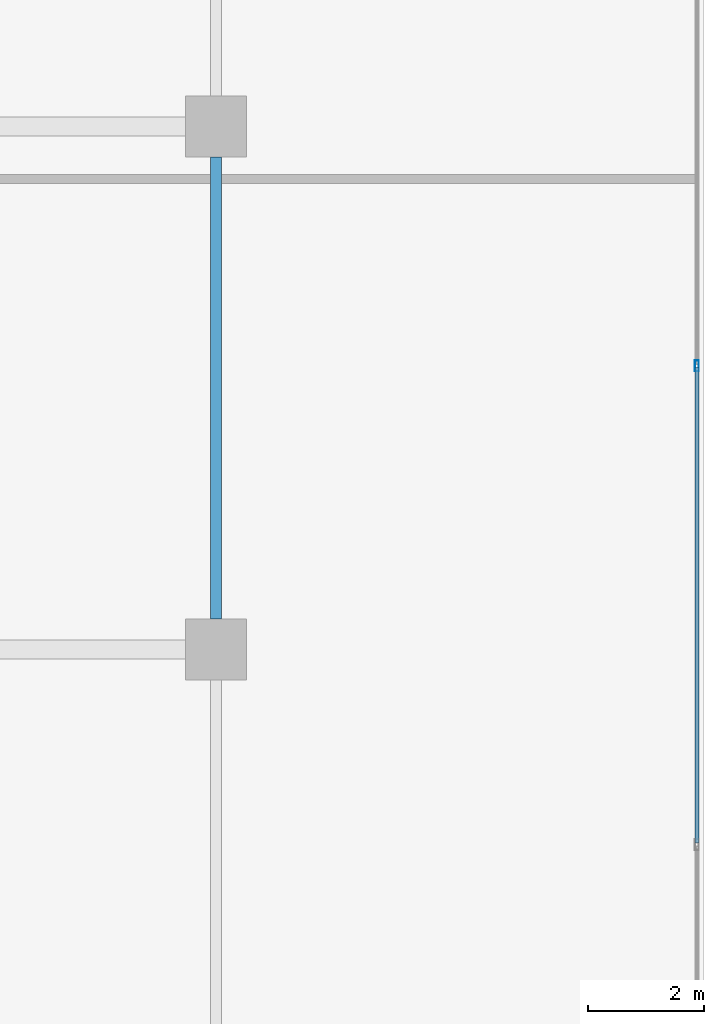
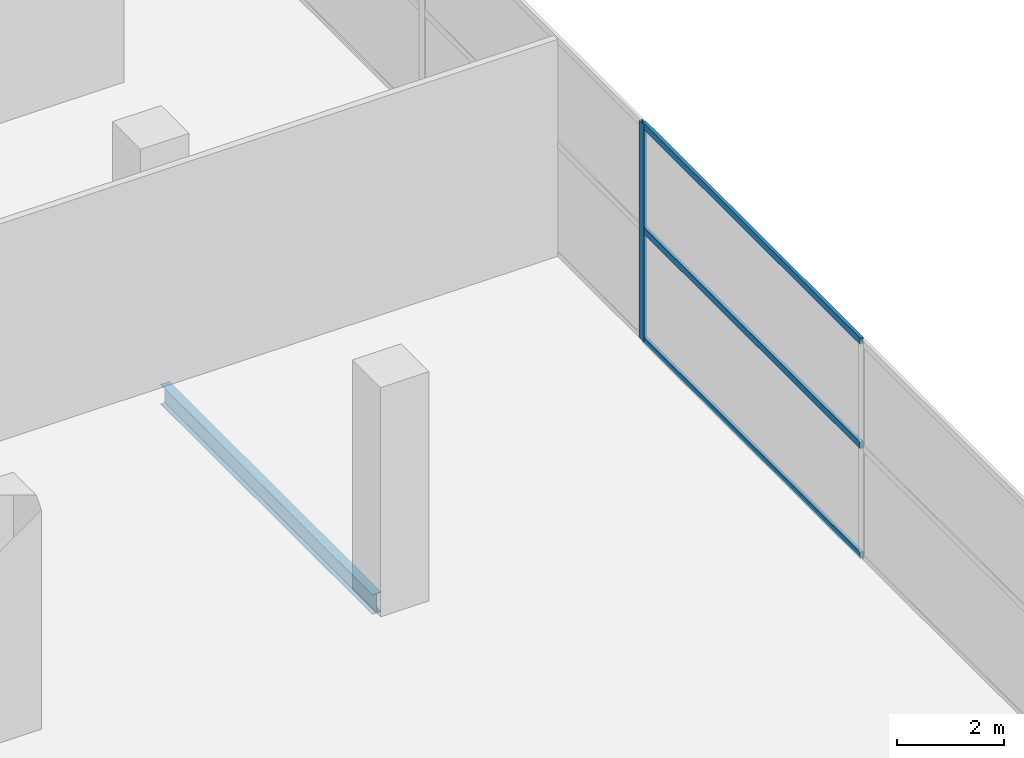
# One storey, part 26 of 40: 4 members, 1 beam, 1 element without a shape of its own.
"""IFC4 building model written with IfcOpenShell, lengths in metres."""

from ifc_helpers import new_model, si_unit, direction, frame, origin, origin_2d, place, context, subcontext, project, spatial, hollow_rectangle, i_section, extrude, material, layer, layer_set, material_profile, profile_set, type_object, element, aggregate, save


model = new_model("IFC4")

# Units and contexts
model_context = context("Model", 3, precision=1e-05, world=origin(), true_north=direction((0.0, 1.0)))
body_context = subcontext(model_context, "Body", "Model", "MODEL_VIEW")
ifc_project = project(units=[si_unit("LENGTHUNIT", "METRE"), si_unit("AREAUNIT", "SQUARE_METRE"), si_unit("VOLUMEUNIT", "CUBIC_METRE"), si_unit("PLANEANGLEUNIT", "RADIAN"), si_unit("MASSUNIT", "GRAM", prefix="KILO")], contexts=[model_context])

# Site, building, storey
site_placement = place(None, origin())
site = spatial("IfcSite", under=ifc_project, at=site_placement, CompositionType="ELEMENT")
building_placement = place(site_placement, origin())
building = spatial("IfcBuilding", under=site, at=building_placement, Name="Maruvema Waterfront Hotel and Observation Tower", CompositionType="ELEMENT")
storey_placement = place(building_placement, frame((0.0, 0.0, 5.60009765625)))
storey = spatial("IfcBuildingStorey", under=building, at=storey_placement, Name="L01", CompositionType="ELEMENT", Elevation=5.60009765625)

# Curtain wall, members
ifc_material_1 = material(Name="Anodised bronze aluminium and solar-control low-E IGU", Category="aluminium")
ifc_layer = layer(ifc_material_1, 0.159912109375, Name="Podium Waterfront Storefront Curtain Wall System CW-01")
ifc_layer_set = layer_set([ifc_layer], Name="Anodised bronze aluminium and solar-control low-E IGU")
curtain_wall_type = type_object("IfcCurtainWallType", Name="Podium Waterfront Storefront Curtain Wall System CW-01", PredefinedType="USERDEFINED", material=ifc_layer_set)
curtain_wall_placement = place(storey_placement, origin())
curtain_wall = element("IfcCurtainWall", 1, at=curtain_wall_placement, inside=storey, type_object=curtain_wall_type, Name="L01 Curtain Wall CW-L01-E", ObjectType="UNITISED CURTAIN WALL", PredefinedType="USERDEFINED")
ifc_material_2 = material(Name="Anodised architectural bronze aluminium", Category="aluminium")
ifc_material_profile_1 = material_profile(ifc_material_2, hollow_rectangle(XDim=0.070068359375, YDim=0.14990234375, WallThickness=0.00390625, at=origin_2d()), Name="ALU-T70x150")
ifc_profile_set_1 = profile_set([ifc_material_profile_1], Name="Anodised architectural bronze aluminium")
member_type_1 = type_object("IfcMemberType", Name="Curtain Wall Horizontal Transom ALU-T70x150", PredefinedType="USERDEFINED", material=ifc_profile_set_1)
member_1_placement = place(storey_placement, frame((75.47998046875, 14.669921875, 0.02978515625), z_axis=(0.0, 1.0, 0.0), x_axis=(-1.0, 0.0, 0.0)))
member_1 = element("IfcMember", 2, at=member_1_placement, type_object=member_type_1, Name="CW-01 transom 2.1", ObjectType="TRANSOM", PredefinedType="USERDEFINED", context=body_context, shape_type="SweptSolid", body=[
    extrude(hollow_rectangle(XDim=0.070068359375, YDim=0.14990234375, WallThickness=0.00390625, at=origin_2d()), origin(), (0.0, 0.0, 1.0), 8.18017578125),
])
member_2_placement = place(storey_placement, frame((75.47998046875, 14.669921875, 2.5498046875), z_axis=(0.0, 1.0, 0.0), x_axis=(-1.0, 0.0, 0.0)))
member_2 = element("IfcMember", 3, at=member_2_placement, type_object=member_type_1, Name="CW-01 transom 2.2", ObjectType="TRANSOM", PredefinedType="USERDEFINED", context=body_context, shape_type="SweptSolid", body=[
    extrude(hollow_rectangle(XDim=0.070068359375, YDim=0.14990234375, WallThickness=0.00390625, at=origin_2d()), origin(), (0.0, 0.0, 1.0), 8.18017578125),
])
member_3_placement = place(storey_placement, frame((75.47998046875, 14.669921875, 4.93994140625), z_axis=(0.0, 1.0, 0.0), x_axis=(-1.0, 0.0, 0.0)))
member_3 = element("IfcMember", 4, at=member_3_placement, type_object=member_type_1, Name="CW-01 transom 2.3", ObjectType="TRANSOM", PredefinedType="USERDEFINED", context=body_context, shape_type="SweptSolid", body=[
    extrude(hollow_rectangle(XDim=0.070068359375, YDim=0.14990234375, WallThickness=0.00390625, at=origin_2d()), origin(), (0.0, 0.0, 1.0), 8.18017578125),
])

# Beam
ifc_material_3 = material(Name="Steel ASTM A572 Grade 50", Category="steel")
ifc_material_profile_2 = material_profile(ifc_material_3, i_section(OverallWidth=0.18994140625, OverallDepth=0.45703125, WebThickness=0.009033203125, FlangeThickness=0.014404296875, FilletRadius=0.014892578125, at=origin_2d()), Name="W460x74.0")
ifc_profile_set_2 = profile_set([ifc_material_profile_2], Name="Steel ASTM A572 Grade 50")
beam_type = type_object("IfcBeamType", Name="Perimeter Spandrel Beam W460x74.0", PredefinedType="SPANDREL", material=ifc_profile_set_2)
beam_placement = place(storey_placement, frame((67.199951171875, 18.52490234375, -0.508544921875), z_axis=(0.0, 1.0, 0.0), x_axis=(-1.0, 0.0, 0.0)))
element("IfcBeam", 5, at=beam_placement, inside=storey, type_object=beam_type, Name="L01 Floor Girder NS-31", PredefinedType="SPANDREL", context=body_context, shape_type="SweptSolid", body=[
    extrude(i_section(OverallWidth=0.18994140625, OverallDepth=0.45703125, WebThickness=0.009033203125, FlangeThickness=0.014404296875, FilletRadius=0.014892578125, at=origin_2d()), origin(), (0.0, 0.0, 1.0), 7.9501953125),
])

# Member
ifc_material_4 = material(Name="Anodised architectural bronze aluminium", Category="aluminium")
ifc_material_profile_3 = material_profile(ifc_material_4, hollow_rectangle(XDim=0.070068359375, YDim=0.18994140625, WallThickness=0.00390625, at=origin_2d()), Name="ALU-M70x190")
ifc_profile_set_3 = profile_set([ifc_material_profile_3], Name="Anodised architectural bronze aluminium")
member_type_2 = type_object("IfcMemberType", Name="Podium Storefront Heavy Mullion ALU-M70x190", PredefinedType="MULLION", material=ifc_profile_set_3)
member_4_placement = place(storey_placement, frame((75.47998046875, 22.8798828125, 0.0), z_axis=(0.0, 0.0, 1.0), x_axis=(-1.0, 0.0, 0.0)))
member_4 = element("IfcMember", 6, at=member_4_placement, type_object=member_type_2, Name="CW-01 mullion 3", PredefinedType="MULLION", context=body_context, shape_type="SweptSolid", body=[
    extrude(hollow_rectangle(XDim=0.070068359375, YDim=0.18994140625, WallThickness=0.00390625, at=origin_2d()), origin(), (0.0, 0.0, 1.0), 4.969970703125),
])

aggregate(curtain_wall, [member_4, member_1, member_2, member_3])

save(model, "model.ifc")
